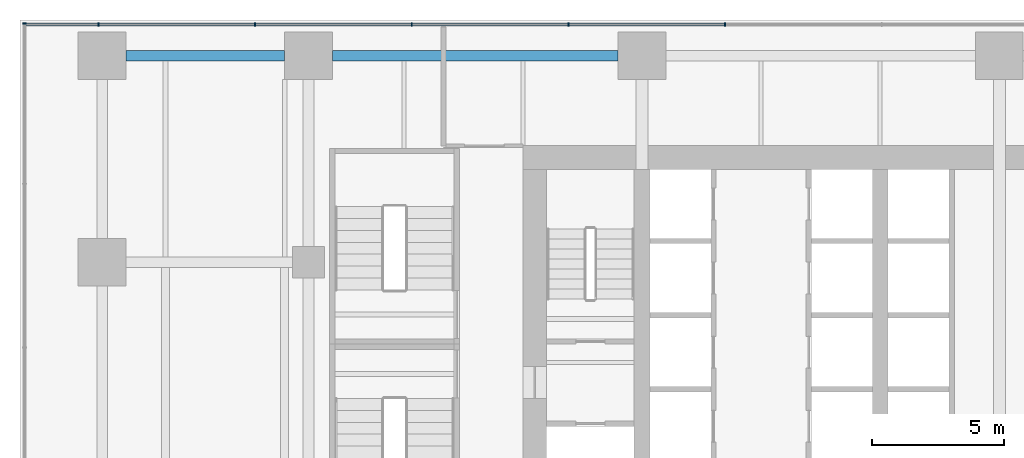
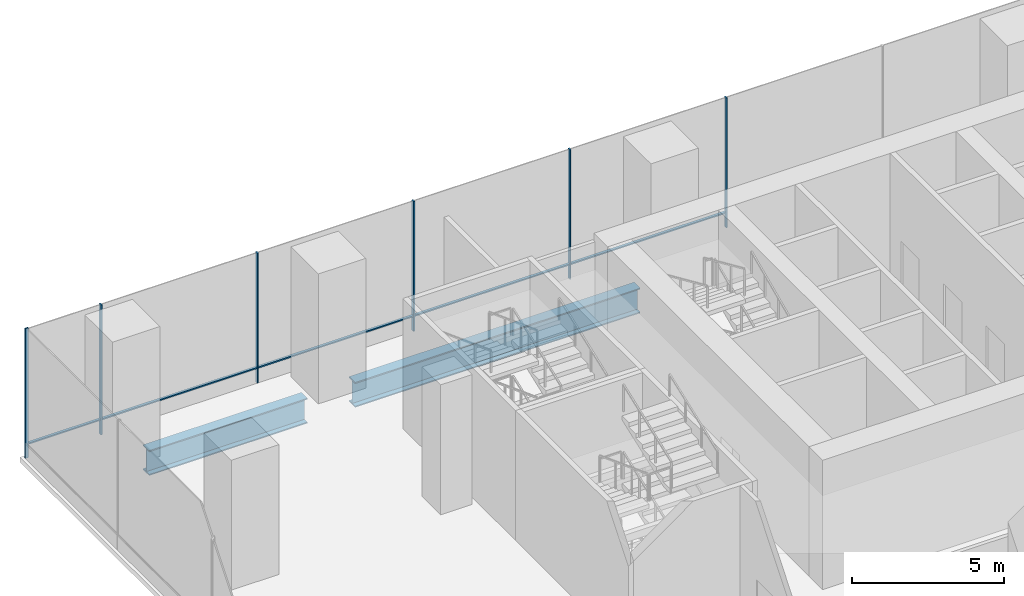
# One storey, part 11 of 26: 11 members, 2 beams, 2 elements without a shape of their own.
"""IFC4 building model written with IfcOpenShell, lengths in metres."""

from ifc_helpers import new_model, si_unit, direction, frame, origin, origin_2d, place, context, subcontext, project, spatial, rectangle, i_section, extrude, material, layer, layer_set, material_profile, profile_set, type_object, element, aggregate, save


model = new_model("IFC4")

# Units and contexts
model_context = context("Model", 3, precision=1e-05, world=origin(), true_north=direction((0.0, 1.0)))
body_context = subcontext(model_context, "Body", "Model", "MODEL_VIEW")
ifc_project = project(units=[si_unit("LENGTHUNIT", "METRE"), si_unit("AREAUNIT", "SQUARE_METRE"), si_unit("VOLUMEUNIT", "CUBIC_METRE"), si_unit("PLANEANGLEUNIT", "RADIAN"), si_unit("MASSUNIT", "GRAM", prefix="KILO")], contexts=[model_context])

# Site, building, storey
site_placement = place(None, origin())
site = spatial("IfcSite", under=ifc_project, at=site_placement, CompositionType="ELEMENT")
building_placement = place(site_placement, origin())
building = spatial("IfcBuilding", under=site, at=building_placement, Name="Rattan Terrace Tower", CompositionType="ELEMENT")
storey_placement = place(building_placement, frame((0.0, 0.0, 7.199951171875)))
storey = spatial("IfcBuildingStorey", under=building, at=storey_placement, Name="L01", CompositionType="ELEMENT", Elevation=7.199951171875)

# Beams
ifc_material_1 = material(Name="Steel S460", Category="steel")
ifc_material_profile_1 = material_profile(ifc_material_1, i_section(OverallWidth=0.39990234375, OverallDepth=1.0, WebThickness=0.01806640625, FlangeThickness=0.044921875, at=origin_2d()), Name="PG 1000x400-18-45")
ifc_profile_set_1 = profile_set([ifc_material_profile_1], Name="Steel S460")
beam_type = type_object("IfcBeamType", Name="Frame podium girder PG 1000x400-18-45", PredefinedType="USERDEFINED", material=ifc_profile_set_1)
beam_1_placement = place(storey_placement, frame((-33.0, 10.89990234375, -0.699951171875), z_axis=(1.0, 0.0, 0.0), x_axis=(0.0, 1.0, 0.0)))
element("IfcBeam", 1, at=beam_1_placement, inside=storey, type_object=beam_type, Name="gdr-L01-046", ObjectType="PODIUM GIRDER", PredefinedType="USERDEFINED", context=body_context, shape_type="SweptSolid", body=[
    extrude(i_section(OverallWidth=0.39990234375, OverallDepth=1.0, WebThickness=0.01806640625, FlangeThickness=0.044921875, at=origin_2d()), origin(), (0.0, 0.0, 1.0), 6.0),
])
beam_2_placement = place(storey_placement, frame((-25.199951171875, 10.89990234375, -0.699951171875), z_axis=(1.0, 0.0, 0.0), x_axis=(0.0, 1.0, 0.0)))
element("IfcBeam", 2, at=beam_2_placement, inside=storey, type_object=beam_type, Name="gdr-L01-047", ObjectType="PODIUM GIRDER", PredefinedType="USERDEFINED", context=body_context, shape_type="SweptSolid", body=[
    extrude(i_section(OverallWidth=0.39990234375, OverallDepth=1.0, WebThickness=0.01806640625, FlangeThickness=0.044921875, at=origin_2d()), origin(), (0.0, 0.0, 1.0), 10.800048828125),
])

# Curtain wall, members
ifc_material_2 = material(Name="Aluminium and glass", Category="aluminium")
ifc_layer = layer(ifc_material_2, 0.1201171875)
ifc_layer_set = layer_set([ifc_layer], Name="Station Storefront Curtain Wall")
curtain_wall_type = type_object("IfcCurtainWallType", Name="Station Storefront Curtain Wall", PredefinedType="NOTDEFINED", material=ifc_layer_set)
curtain_wall_1_placement = place(storey_placement, origin())
curtain_wall_1 = element("IfcCurtainWall", 3, at=curtain_wall_1_placement, inside=storey, type_object=curtain_wall_type, Name="Storefront curtain wall L01-2", PredefinedType="NOTDEFINED")
ifc_material_3 = material(Name="Aluminium", Category="aluminium")
ifc_material_profile_2 = material_profile(ifc_material_3, rectangle(XDim=0.050048828125, YDim=0.1201171875, at=origin_2d()), Name="Aluminium 50x120")
ifc_profile_set_2 = profile_set([ifc_material_profile_2], Name="Aluminium")
member_type_1 = type_object("IfcMemberType", Name="Storefront CW Mullion 50x120", PredefinedType="MULLION", material=ifc_profile_set_2)
member_1_placement = place(storey_placement, frame((-10.360107421875, 12.080078125, 0.0), z_axis=(0.0, 0.0, 1.0), x_axis=(-1.0, 0.0, 0.0)))
member_1 = element("IfcMember", 4, at=member_1_placement, type_object=member_type_1, Name="Mullion cwl-L01-002.9", PredefinedType="MULLION", context=body_context, shape_type="SweptSolid", body=[
    extrude(rectangle(XDim=0.050048828125, YDim=0.1201171875, at=origin_2d()), origin(), (0.0, 0.0, 1.0), 5.199951171875),
])
member_2_placement = place(storey_placement, frame((-16.280029296875, 12.080078125, 0.0), z_axis=(0.0, 0.0, 1.0), x_axis=(-1.0, 0.0, 0.0)))
member_2 = element("IfcMember", 5, at=member_2_placement, type_object=member_type_1, Name="Mullion cwl-L01-002.10", PredefinedType="MULLION", context=body_context, shape_type="SweptSolid", body=[
    extrude(rectangle(XDim=0.050048828125, YDim=0.1201171875, at=origin_2d()), origin(), (0.0, 0.0, 1.0), 5.199951171875),
])
member_3_placement = place(storey_placement, frame((-22.199951171875, 12.080078125, 0.0), z_axis=(0.0, 0.0, 1.0), x_axis=(-1.0, 0.0, 0.0)))
member_3 = element("IfcMember", 6, at=member_3_placement, type_object=member_type_1, Name="Mullion cwl-L01-002.11", PredefinedType="MULLION", context=body_context, shape_type="SweptSolid", body=[
    extrude(rectangle(XDim=0.050048828125, YDim=0.1201171875, at=origin_2d()), origin(), (0.0, 0.0, 1.0), 5.199951171875),
])
member_4_placement = place(storey_placement, frame((-28.1201171875, 12.080078125, 0.0), z_axis=(0.0, 0.0, 1.0), x_axis=(-1.0, 0.0, 0.0)))
member_4 = element("IfcMember", 7, at=member_4_placement, type_object=member_type_1, Name="Mullion cwl-L01-002.12", PredefinedType="MULLION", context=body_context, shape_type="SweptSolid", body=[
    extrude(rectangle(XDim=0.050048828125, YDim=0.1201171875, at=origin_2d()), origin(), (0.0, 0.0, 1.0), 5.199951171875),
])
member_5_placement = place(storey_placement, frame((-34.0400390625, 12.080078125, 0.0), z_axis=(0.0, 0.0, 1.0), x_axis=(-1.0, 0.0, 0.0)))
member_5 = element("IfcMember", 8, at=member_5_placement, type_object=member_type_1, Name="Mullion cwl-L01-002.13", PredefinedType="MULLION", context=body_context, shape_type="SweptSolid", body=[
    extrude(rectangle(XDim=0.050048828125, YDim=0.1201171875, at=origin_2d()), origin(), (0.0, 0.0, 1.0), 5.199951171875),
])

# Curtain wall, member
curtain_wall_2_placement = place(storey_placement, origin())
curtain_wall_2 = element("IfcCurtainWall", 9, at=curtain_wall_2_placement, inside=storey, type_object=curtain_wall_type, Name="Storefront curtain wall L01-3", PredefinedType="NOTDEFINED")
member_6_placement = place(storey_placement, frame((-36.830078125, 12.114990234375, 0.0), z_axis=(0.0, 0.0, 1.0), x_axis=(0.0, -1.0, 0.0)))
member_6 = element("IfcMember", 10, at=member_6_placement, type_object=member_type_1, Name="Mullion cwl-L01-003.1", PredefinedType="MULLION", context=body_context, shape_type="SweptSolid", body=[
    extrude(rectangle(XDim=0.050048828125, YDim=0.1201171875, at=origin_2d()), origin(), (0.0, 0.0, 1.0), 5.199951171875),
])
aggregate(curtain_wall_2, [member_6])

# Member
ifc_material_4 = material(Name="Aluminium", Category="aluminium")
ifc_material_profile_3 = material_profile(ifc_material_4, rectangle(XDim=0.10009765625, YDim=0.050048828125, at=origin_2d()), Name="Aluminium 100x50")
ifc_profile_set_3 = profile_set([ifc_material_profile_3], Name="Aluminium")
member_type_2 = type_object("IfcMemberType", Name="Storefront CW Transom 100x50", PredefinedType="USERDEFINED", material=ifc_profile_set_3)
member_7_placement = place(storey_placement, frame((-10.385009765625, 12.080078125, 0.60009765625), z_axis=(-1.0, 0.0, 0.0), x_axis=(0.0, -1.0, 0.0)))
member_7 = element("IfcMember", 11, at=member_7_placement, type_object=member_type_2, Name="Transom cwl-L01-002.9", ObjectType="TRANSOM", PredefinedType="USERDEFINED", context=body_context, shape_type="SweptSolid", body=[
    extrude(rectangle(XDim=0.10009765625, YDim=0.050048828125, at=origin_2d()), origin(), (0.0, 0.0, 1.0), 5.869873046875),
])

member_8_placement = place(storey_placement, frame((-16.304931640625, 12.080078125, 0.60009765625), z_axis=(-1.0, 0.0, 0.0), x_axis=(0.0, -1.0, 0.0)))
member_8 = element("IfcMember", 12, at=member_8_placement, type_object=member_type_2, Name="Transom cwl-L01-002.10", ObjectType="TRANSOM", PredefinedType="USERDEFINED", context=body_context, shape_type="SweptSolid", body=[
    extrude(rectangle(XDim=0.10009765625, YDim=0.050048828125, at=origin_2d()), origin(), (0.0, 0.0, 1.0), 5.8701171875),
])

member_9_placement = place(storey_placement, frame((-22.22509765625, 12.080078125, 0.60009765625), z_axis=(-1.0, 0.0, 0.0), x_axis=(0.0, -1.0, 0.0)))
member_9 = element("IfcMember", 13, at=member_9_placement, type_object=member_type_2, Name="Transom cwl-L01-002.11", ObjectType="TRANSOM", PredefinedType="USERDEFINED", context=body_context, shape_type="SweptSolid", body=[
    extrude(rectangle(XDim=0.10009765625, YDim=0.050048828125, at=origin_2d()), origin(), (0.0, 0.0, 1.0), 5.869873046875),
])

member_10_placement = place(storey_placement, frame((-28.14501953125, 12.080078125, 0.60009765625), z_axis=(-1.0, 0.0, 0.0), x_axis=(0.0, -1.0, 0.0)))
member_10 = element("IfcMember", 14, at=member_10_placement, type_object=member_type_2, Name="Transom cwl-L01-002.12", ObjectType="TRANSOM", PredefinedType="USERDEFINED", context=body_context, shape_type="SweptSolid", body=[
    extrude(rectangle(XDim=0.10009765625, YDim=0.050048828125, at=origin_2d()), origin(), (0.0, 0.0, 1.0), 5.869873046875),
])

member_11_placement = place(storey_placement, frame((-34.06494140625, 12.080078125, 0.60009765625), z_axis=(-1.0, 0.0, 0.0), x_axis=(0.0, -1.0, 0.0)))
member_11 = element("IfcMember", 15, at=member_11_placement, type_object=member_type_2, Name="Transom cwl-L01-002.13", ObjectType="TRANSOM", PredefinedType="USERDEFINED", context=body_context, shape_type="SweptSolid", body=[
    extrude(rectangle(XDim=0.10009765625, YDim=0.050048828125, at=origin_2d()), origin(), (0.0, 0.0, 1.0), 2.705078125),
])

aggregate(curtain_wall_1, [member_1, member_2, member_3, member_4, member_5, member_7, member_8, member_9, member_10, member_11])

save(model, "model.ifc")
